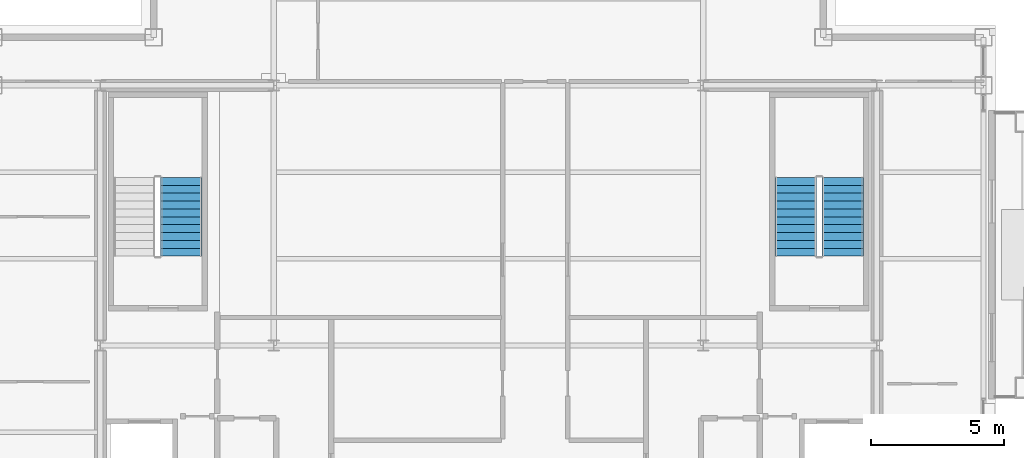
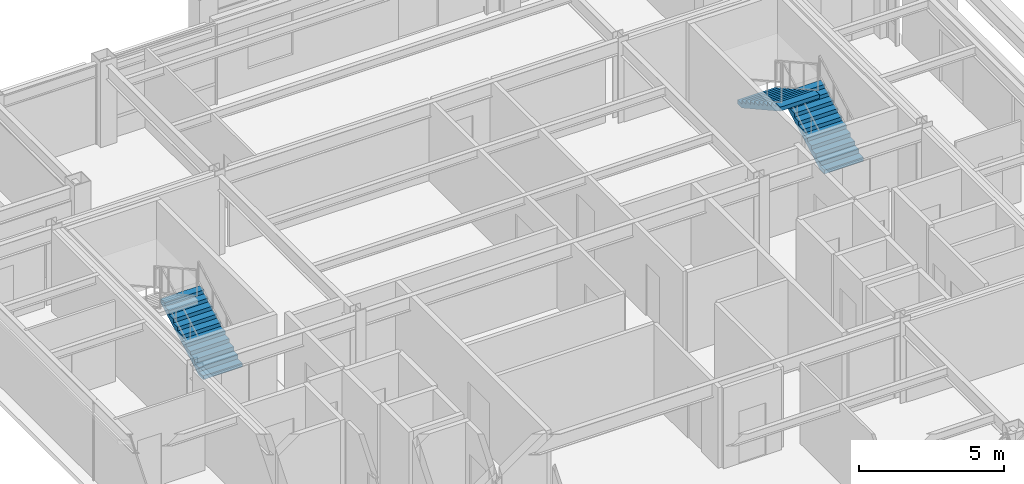
# One storey, part 22 of 24: 3 stair flights, 2 elements without a shape of their own.
"""IFC4 building model written with IfcOpenShell, lengths in metres."""

import ifcopenshell
import ifcopenshell.guid

model = None  # the IFC model being written
_history = None  # IfcOwnerHistory: only IFC2X3 demands one
_inside = {}  # id of a spatial element -> (the spatial element, [elements in it])
_under = {}  # id of a project, library or spatial element -> (it, [spatial elements below it])
_declared = {}  # id of a project -> (the project, [libraries it declares])
_typed = {}  # id of a type object -> (the type object, [elements of that type])
_made_of = {}  # id of a material, layer set ... -> (it, [elements and type objects made of it])


def new_model(schema):
    """Start an empty IFC model of exactly this schema.

    Asked for "IFC4X3", IfcOpenShell would pick the latest addendum, in which some entities
    have other attributes; the version numbers below select the first issue.
    IFC2X3 requires an IfcOwnerHistory on every rooted entity: one is made here for all.
    """
    global model, _history
    if schema == "IFC4X3":
        model = ifcopenshell.file(schema_version=(4, 3, 0, 0))
    else:
        model = ifcopenshell.file(schema=schema)
    _inside.clear()
    _under.clear()
    _declared.clear()
    _typed.clear()
    _made_of.clear()
    _history = None
    if model.schema == "IFC2X3":
        org = make("IfcOrganization", Name="unknown")
        user = make(
            "IfcPersonAndOrganization",
            ThePerson=make("IfcPerson", FamilyName="unknown"),
            TheOrganization=org,
        )
        app = make(
            "IfcApplication",
            ApplicationDeveloper=org,
            Version="unknown",
            ApplicationFullName="unknown",
            ApplicationIdentifier="unknown",
        )
        _history = make(
            "IfcOwnerHistory",
            OwningUser=user,
            OwningApplication=app,
            ChangeAction="ADDED",
            CreationDate=0,
        )
    return model


def make(cls, **values):
    """One entity of the class cls with the attributes given. An attribute that is None is left unset."""
    return model.create_entity(
        cls, **{name: value for name, value in values.items() if value is not None}
    )


def rooted(cls, **values):
    """An entity with a GlobalId (a new one), such as an element, a storey or a relation."""
    return make(cls, GlobalId=ifcopenshell.guid.new(), OwnerHistory=_history, **values)


def si_unit(unit_type, name, prefix=None):
    """IfcSIUnit, for example si_unit("LENGTHUNIT", "METRE", prefix="MILLI")."""
    return make("IfcSIUnit", UnitType=unit_type, Prefix=prefix, Name=name)


def assignment(units):
    """IfcUnitAssignment: the units of a project."""
    return None if units is None else make("IfcUnitAssignment", Units=units)


def point(xyz):
    """IfcCartesianPoint."""
    return None if xyz is None else make("IfcCartesianPoint", Coordinates=xyz)


def direction(xyz):
    """IfcDirection."""
    return None if xyz is None else make("IfcDirection", DirectionRatios=xyz)


def frame(location, z_axis=None, x_axis=None):
    """IfcAxis2Placement3D, a coordinate frame: its origin and axes. An axis left out is left unset."""
    return make(
        "IfcAxis2Placement3D",
        Location=point(location),
        Axis=direction(z_axis),
        RefDirection=direction(x_axis),
    )


def origin():
    """The frame at (0, 0, 0) with its axes left unset."""
    return frame((0.0, 0.0, 0.0))


def place(relative_to, where):
    """IfcLocalPlacement: puts the frame where relative to a parent placement (None: the world)."""
    return make(
        "IfcLocalPlacement", PlacementRelTo=relative_to, RelativePlacement=where
    )


def context(
    kind, dimensions, precision=None, world=None, true_north=None, identifier=None
):
    """IfcGeometricRepresentationContext, for example the 3D "Model" context."""
    return make(
        "IfcGeometricRepresentationContext",
        ContextIdentifier=identifier,
        ContextType=kind,
        CoordinateSpaceDimension=dimensions,
        Precision=precision,
        WorldCoordinateSystem=world,
        TrueNorth=true_north,
    )


def subcontext(parent, identifier, kind, view, scale=None):
    """IfcGeometricRepresentationSubContext, for example "Body" below "Model"."""
    return make(
        "IfcGeometricRepresentationSubContext",
        ContextIdentifier=identifier,
        ContextType=kind,
        ParentContext=parent,
        TargetScale=scale,
        TargetView=view,
    )


def project(units=None, contexts=None):
    """IfcProject with its units and contexts."""
    return rooted(
        "IfcProject",
        Name="project",
        RepresentationContexts=contexts,
        UnitsInContext=assignment(units),
    )


def spatial(cls, under=None, at=None, **own):
    """A site, building, storey or space (cls), placed at a placement, below another one or the project."""
    s = rooted(cls, ObjectPlacement=at, **own)
    if under is not None:
        _under.setdefault(under.id(), (under, []))[1].append(s)
    return s


def polyline(points):
    """IfcPolyline through the points."""
    return make("IfcPolyline", Points=[point(p) for p in points])


def outline(outer, holes=None, kind="AREA"):
    """IfcArbitraryClosedProfileDef: a profile drawn as a closed curve; with holes, ...WithVoids."""
    if holes is None:
        return make("IfcArbitraryClosedProfileDef", ProfileType=kind, OuterCurve=outer)
    return make(
        "IfcArbitraryProfileDefWithVoids",
        ProfileType=kind,
        OuterCurve=outer,
        InnerCurves=holes,
    )


def extrude(swept, where, along, depth):
    """IfcExtrudedAreaSolid: the profile swept, set in the frame where, extruded along a direction by depth."""
    return make(
        "IfcExtrudedAreaSolid",
        SweptArea=swept,
        Position=where,
        ExtrudedDirection=direction(along),
        Depth=depth,
    )


def shape(context_of_items, identifier, shape_type, items):
    """IfcShapeRepresentation: the items that make up one representation, for example the "Body"."""
    return make(
        "IfcShapeRepresentation",
        ContextOfItems=context_of_items,
        RepresentationIdentifier=identifier,
        RepresentationType=shape_type,
        Items=items,
    )


def material(Name=None, Category=None):
    """IfcMaterial."""
    return make("IfcMaterial", Name=Name, Category=Category)


def made_of(thing, what):
    """Note that an element or type object is made of a material, layer set ...; save() writes the relation."""
    if what is not None:
        _made_of.setdefault(what.id(), (what, []))[1].append(thing)
    return thing


def type_object(cls, material=None, **own):
    """A type object (cls), such as IfcWallType, which elements share."""
    return made_of(rooted(cls, **own), material)


def element(
    cls,
    number,
    at=None,
    inside=None,
    cuts=None,
    type_object=None,
    material=None,
    context=None,
    identifier="Body",
    shape_type=None,
    held_by="IfcProductDefinitionShape",
    body=None,
    shapes=None,
    **own,
):
    """One element of the class cls, such as IfcWall. Its Tag is "e" and its number.

    at: its placement. inside: the storey or other place that contains it. cuts: it is an
    opening in that element (IfcRelVoidsElement). A single representation is given by context,
    identifier, shape_type and body (its items); several are given by shapes. held_by: the class
    of the entity that holds the representations. save() writes the other relations.
    """
    e = rooted(cls, Tag="e%d" % number, ObjectPlacement=at, **own)
    if body is not None:
        shapes = [shape(context, identifier, shape_type, body)]
    if shapes is not None:
        e.Representation = make(held_by, Representations=shapes)
    if inside is not None:
        _inside.setdefault(inside.id(), (inside, []))[1].append(e)
    if cuts is not None:
        rooted(
            "IfcRelVoidsElement", RelatingBuildingElement=cuts, RelatedOpeningElement=e
        )
    if type_object is not None:
        _typed.setdefault(type_object.id(), (type_object, []))[1].append(e)
    return made_of(e, material)


def aggregate(whole, parts):
    """IfcRelAggregates: a whole, such as a stair, and the parts it consists of."""
    return rooted("IfcRelAggregates", RelatingObject=whole, RelatedObjects=parts)


def save(model, path):
    """Write the relations noted so far, then the file.

    IfcRelAggregates (storeys below a building ...), IfcRelContainedInSpatialStructure (elements
    in a storey), IfcRelDefinesByType, IfcRelAssociatesMaterial and IfcRelDeclares: one each for
    every whole, place, type object, material and project.
    """
    for whole, parts in _under.values():
        aggregate(whole, parts)
    for where, things in _inside.values():
        rooted(
            "IfcRelContainedInSpatialStructure",
            RelatedElements=things,
            RelatingStructure=where,
        )
    for kind, things in _typed.values():
        rooted("IfcRelDefinesByType", RelatedObjects=things, RelatingType=kind)
    for what, things in _made_of.values():
        rooted("IfcRelAssociatesMaterial", RelatedObjects=things, RelatingMaterial=what)
    for by, libraries in _declared.values():
        rooted("IfcRelDeclares", RelatingContext=by, RelatedDefinitions=libraries)
    model.write(path)


model = new_model("IFC4")

# Units and contexts
model_context = context("Model", 3, precision=1e-05, world=origin(), true_north=direction((0.0, 1.0)))
body_context = subcontext(model_context, "Body", "Model", "MODEL_VIEW")
ifc_project = project(units=[si_unit("LENGTHUNIT", "METRE"), si_unit("AREAUNIT", "SQUARE_METRE"), si_unit("VOLUMEUNIT", "CUBIC_METRE"), si_unit("PLANEANGLEUNIT", "RADIAN"), si_unit("MASSUNIT", "GRAM", prefix="KILO")], contexts=[model_context])

# Site, building, storey
site_placement = place(None, origin())
site = spatial("IfcSite", under=ifc_project, at=site_placement, CompositionType="ELEMENT")
building_placement = place(site_placement, origin())
building = spatial("IfcBuilding", under=site, at=building_placement, Name="Brelmoor Portico Tower", CompositionType="ELEMENT")
storey_placement = place(building_placement, frame((0.0, 0.0, 240.0)))
storey = spatial("IfcBuildingStorey", under=building, at=storey_placement, Name="L63", CompositionType="ELEMENT", Elevation=240.0)

# Stair, stair flight
ifc_material = material(Name="Concrete C40", Category="concrete")
stair_type_1 = type_object("IfcStairType", Name="ST-CORE-W", PredefinedType="HALF_TURN_STAIR", material=ifc_material)
stair_1_placement = place(storey_placement, origin())
stair_1 = element("IfcStair", 1, at=stair_1_placement, inside=storey, type_object=stair_type_1, Name="L63 Protected Core Exit Stair ST-W", PredefinedType="HALF_TURN_STAIR")
stair_flight_type = type_object("IfcStairFlightType", Name="SF-CORE-1850", PredefinedType="STRAIGHT", material=ifc_material)
stair_flight_1_placement = place(storey_placement, frame((-11.510009765625, 3.35009765625, 0.0), z_axis=(0.0, 0.0, 1.0), x_axis=(0.0, 1.0, 0.0)))
stair_flight_1 = element("IfcStairFlight", 2, at=stair_flight_1_placement, type_object=stair_flight_type, Name="ST-W flight 1", NumberOfRisers=11, NumberOfTreads=10, PredefinedType="STRAIGHT", RiserHeight=0.163636364, TreadLength=0.295, context=body_context, shape_type="SweptSolid", body=[
    extrude(outline(polyline([(0.0, 0.0), (0.0, 0.16357421875), (0.294921875, 0.16357421875), (0.294921875, 0.327392578125), (0.590087890625, 0.327392578125), (0.590087890625, 0.490966796875), (0.885009765625, 0.490966796875), (0.885009765625, 0.654541015625), (1.179931640625, 0.654541015625), (1.179931640625, 0.818115234375), (1.47509765625, 0.818115234375), (1.47509765625, 0.98193359375), (1.77001953125, 0.98193359375), (1.77001953125, 1.1455078125), (2.06494140625, 1.1455078125), (2.06494140625, 1.30908203125), (2.360107421875, 1.30908203125), (2.360107421875, 1.47265625), (2.655029296875, 1.47265625), (2.655029296875, 1.636474609375), (2.949951171875, 1.636474609375), (2.949951171875, 1.800048828125), (2.949951171875, 1.46484375), (0.30908203125, 0.0), (0.0, 0.0)])), frame((0.0, 0.780029296875, 0.0), z_axis=(0.0, -1.0, 0.0), x_axis=(1.0, 0.0, 0.0)), (0.0, 0.0, 1.0), 1.56005859375),
])
aggregate(stair_1, [stair_flight_1])

# Stair, stair flights
stair_type_2 = type_object("IfcStairType", Name="ST-CORE-E", PredefinedType="HALF_TURN_STAIR", material=ifc_material)
stair_2_placement = place(storey_placement, origin())
stair_2 = element("IfcStair", 3, at=stair_2_placement, inside=storey, type_object=stair_type_2, Name="L63 Protected Core Exit Stair ST-E", PredefinedType="HALF_TURN_STAIR")
stair_flight_2_placement = place(storey_placement, frame((13.27001953125, 3.35009765625, 0.0), z_axis=(0.0, 0.0, 1.0), x_axis=(0.0, 1.0, 0.0)))
stair_flight_2 = element("IfcStairFlight", 4, at=stair_flight_2_placement, type_object=stair_flight_type, Name="ST-E flight 1", NumberOfRisers=11, NumberOfTreads=10, PredefinedType="STRAIGHT", RiserHeight=0.163636364, TreadLength=0.295, context=body_context, shape_type="SweptSolid", body=[
    extrude(outline(polyline([(0.0, 0.0), (0.0, 0.16357421875), (0.294921875, 0.16357421875), (0.294921875, 0.327392578125), (0.590087890625, 0.327392578125), (0.590087890625, 0.490966796875), (0.885009765625, 0.490966796875), (0.885009765625, 0.654541015625), (1.179931640625, 0.654541015625), (1.179931640625, 0.818115234375), (1.47509765625, 0.818115234375), (1.47509765625, 0.98193359375), (1.77001953125, 0.98193359375), (1.77001953125, 1.1455078125), (2.06494140625, 1.1455078125), (2.06494140625, 1.30908203125), (2.360107421875, 1.30908203125), (2.360107421875, 1.47265625), (2.655029296875, 1.47265625), (2.655029296875, 1.636474609375), (2.949951171875, 1.636474609375), (2.949951171875, 1.800048828125), (2.949951171875, 1.46484375), (0.30908203125, 0.0), (0.0, 0.0)])), frame((0.0, 0.780029296875, 0.0), z_axis=(0.0, -1.0, 0.0), x_axis=(1.0, 0.0, 0.0)), (0.0, 0.0, 1.0), 1.56005859375),
])
stair_flight_3_placement = place(storey_placement, frame((11.510009765625, 6.300048828125, 1.800048828125), z_axis=(0.0, 0.0, 1.0), x_axis=(0.0, -1.0, 0.0)))
stair_flight_3 = element("IfcStairFlight", 5, at=stair_flight_3_placement, type_object=stair_flight_type, Name="ST-E flight 2", NumberOfRisers=11, NumberOfTreads=10, PredefinedType="STRAIGHT", RiserHeight=0.163636364, TreadLength=0.295, context=body_context, shape_type="SweptSolid", body=[
    extrude(outline(polyline([(0.0, 0.0), (0.0, 0.16357421875), (0.294921875, 0.16357421875), (0.294921875, 0.327392578125), (0.590087890625, 0.327392578125), (0.590087890625, 0.490966796875), (0.885009765625, 0.490966796875), (0.885009765625, 0.654541015625), (1.179931640625, 0.654541015625), (1.179931640625, 0.818115234375), (1.47509765625, 0.818115234375), (1.47509765625, 0.98193359375), (1.77001953125, 0.98193359375), (1.77001953125, 1.1455078125), (2.06494140625, 1.1455078125), (2.06494140625, 1.30908203125), (2.360107421875, 1.30908203125), (2.360107421875, 1.47265625), (2.655029296875, 1.47265625), (2.655029296875, 1.636474609375), (2.949951171875, 1.636474609375), (2.949951171875, 1.800048828125), (2.949951171875, 1.46484375), (0.30908203125, 0.0), (0.0, 0.0)])), frame((0.0, 0.780029296875, 0.0), z_axis=(0.0, -1.0, 0.0), x_axis=(1.0, 0.0, 0.0)), (0.0, 0.0, 1.0), 1.56005859375),
])
aggregate(stair_2, [stair_flight_2, stair_flight_3])

save(model, "model.ifc")
